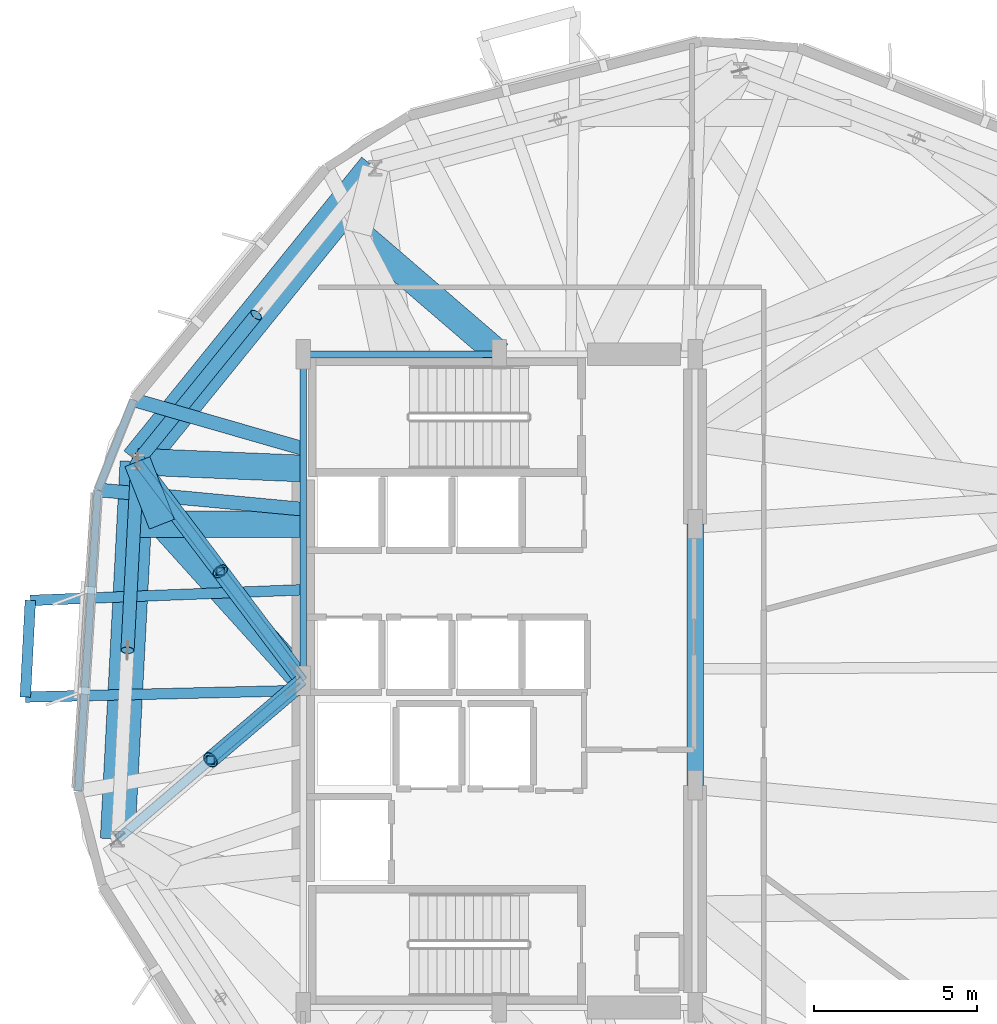
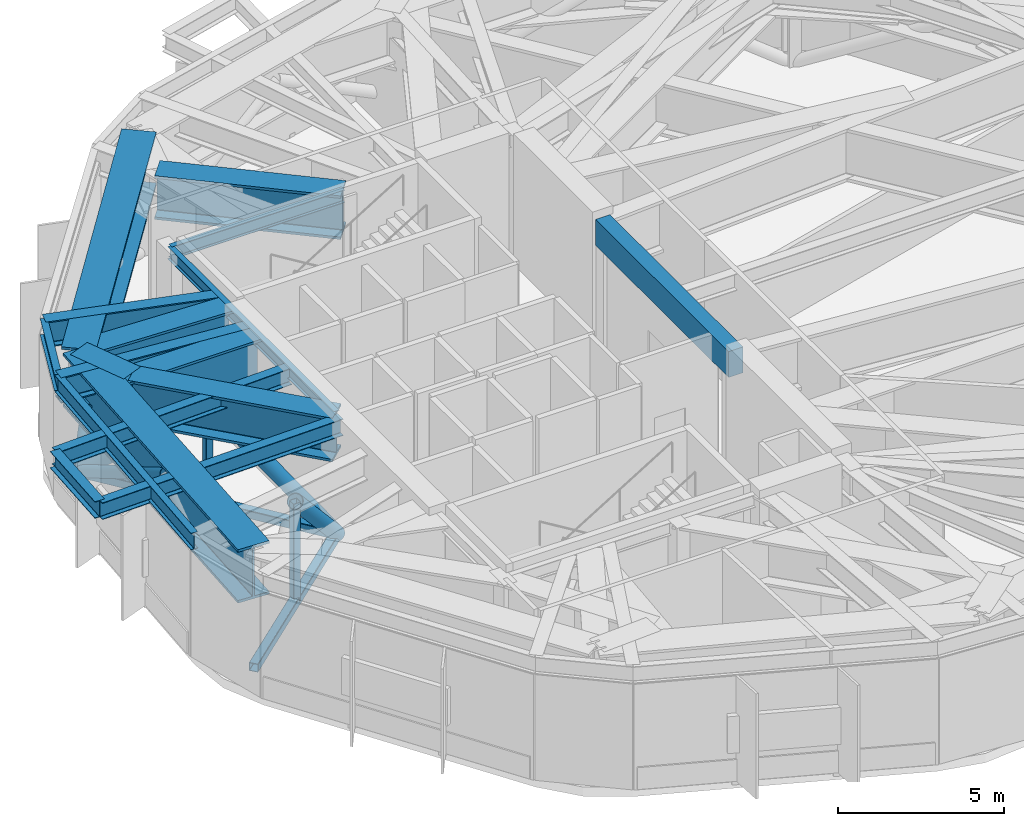
# One storey, part 3 of 13: 17 beams, 9 members.
"""IFC4 building model written with IfcOpenShell, lengths in metres."""

from ifc_helpers import new_model, si_unit, direction, frame, origin, origin_2d, place, context, subcontext, project, spatial, rectangle, hollow_rectangle, hollow_circle, i_section, extrude, material, material_profile, profile_set, type_object, element, save


model = new_model("IFC4")

# Units and contexts
model_context = context("Model", 3, precision=1e-05, world=origin(), true_north=direction((0.0, 1.0)))
body_context = subcontext(model_context, "Body", "Model", "MODEL_VIEW")
ifc_project = project(units=[si_unit("LENGTHUNIT", "METRE"), si_unit("AREAUNIT", "SQUARE_METRE"), si_unit("VOLUMEUNIT", "CUBIC_METRE"), si_unit("PLANEANGLEUNIT", "RADIAN"), si_unit("MASSUNIT", "GRAM", prefix="KILO")], contexts=[model_context])

# Site, building, storey
site_placement = place(None, origin())
site = spatial("IfcSite", under=ifc_project, at=site_placement, CompositionType="ELEMENT")
building_placement = place(site_placement, origin())
building = spatial("IfcBuilding", under=site, at=building_placement, Name="Soratama Intermodal Tower", CompositionType="ELEMENT")
storey_placement = place(building_placement, frame((0.0, 0.0, 82.60009765625)))
storey = spatial("IfcBuildingStorey", under=building, at=storey_placement, Name="L19", CompositionType="ELEMENT", Elevation=82.60009765625)

# Beams
ifc_material_1 = material(Name="Structural steel ASTM A992 Grade 50", Category="steel")
ifc_material_profile_1 = material_profile(ifc_material_1, i_section(OverallWidth=0.324951171875, OverallDepth=0.615966796875, WebThickness=0.013916015625, FlangeThickness=0.021484375, FilletRadius=0.013916015625, at=origin_2d()), Name="W24X117")
ifc_profile_set_1 = profile_set([ifc_material_profile_1], Name="Structural steel ASTM A992 Grade 50")
beam_type_1 = type_object("IfcBeamType", Name="BM-CANT-W24X117", PredefinedType="BEAM", material=ifc_profile_set_1)
beam_1_placement = place(storey_placement, frame((24.2470703125, 27.4619140625, 4.19189453125), z_axis=(-0.052320977967, -0.99863031962, 0.0), x_axis=(0.99863031962, -0.052320977967, 0.0)))
element("IfcBeam", 1, at=beam_1_placement, inside=storey, type_object=beam_type_1, Name="BM-L19-CBHDR-3", PredefinedType="BEAM", context=body_context, shape_type="SweptSolid", body=[
    extrude(i_section(OverallWidth=0.324951171875, OverallDepth=0.615966796875, WebThickness=0.013916015625, FlangeThickness=0.021484375, FilletRadius=0.013916015625, at=origin_2d()), origin(), (0.0, 0.0, 1.0), 2.963134765625),
])
beam_2_placement = place(storey_placement, frame((32.56005859375, 27.785888671875, 4.19189453125), z_axis=(-0.999241451684, -0.038942537632, 0.0), x_axis=(0.038942537632, -0.999241451684, 0.0)))
element("IfcBeam", 2, at=beam_2_placement, inside=storey, type_object=beam_type_1, Name="BM-L19-CANT-3-1", PredefinedType="BEAM", context=body_context, shape_type="SweptSolid", body=[
    extrude(i_section(OverallWidth=0.324951171875, OverallDepth=0.615966796875, WebThickness=0.013916015625, FlangeThickness=0.021484375, FilletRadius=0.013916015625, at=origin_2d()), origin(), (0.0, 0.0, 1.0), 8.3193359375),
])
beam_3_placement = place(storey_placement, frame((32.56005859375, 24.7041015625, 4.19189453125), z_axis=(-0.999717929773, -0.023749966099, 0.0), x_axis=(0.023749966099, -0.999717929773, 0.0)))
element("IfcBeam", 3, at=beam_3_placement, inside=storey, type_object=beam_type_1, Name="BM-L19-CANT-3-2", PredefinedType="BEAM", context=body_context, shape_type="SweptSolid", body=[
    extrude(i_section(OverallWidth=0.324951171875, OverallDepth=0.615966796875, WebThickness=0.013916015625, FlangeThickness=0.021484375, FilletRadius=0.013916015625, at=origin_2d()), origin(), (0.0, 0.0, 1.0), 8.470458984375),
])
ifc_material_2 = material(Name="Concrete f'c 56 MPa", Category="concrete")
ifc_material_profile_2 = material_profile(ifc_material_2, rectangle(XDim=0.5, YDim=0.949951171875, at=origin_2d()), Name="RC500X950")
ifc_profile_set_2 = profile_set([ifc_material_profile_2], Name="Concrete f'c 56 MPa")
beam_type_2 = type_object("IfcBeamType", Name="BM-CPL-RC500X950", PredefinedType="BEAM", material=ifc_profile_set_2)
beam_4_placement = place(storey_placement, frame((44.60009765625, 21.800048828125, 4.02490234375), z_axis=(0.0, 1.0, 0.0), x_axis=(-1.0, 0.0, 0.0)))
element("IfcBeam", 4, at=beam_4_placement, inside=storey, type_object=beam_type_2, Name="L19 Core Coupling Beam East", PredefinedType="BEAM", context=body_context, shape_type="SweptSolid", body=[
    extrude(rectangle(XDim=0.5, YDim=0.949951171875, at=origin_2d()), origin(), (0.0, 0.0, 1.0), 8.0),
])
ifc_material_3 = material(Name="Structural steel ASTM A992 Grade 50", Category="steel")
ifc_material_profile_3 = material_profile(ifc_material_3, i_section(OverallWidth=0.19091796875, OverallDepth=0.4599609375, WebThickness=0.010009765625, FlangeThickness=0.01611328125, FilletRadius=0.010986328125, at=origin_2d()), Name="W18X55")
ifc_profile_set_3 = profile_set([ifc_material_profile_3], Name="Structural steel ASTM A992 Grade 50")
beam_type_3 = type_object("IfcBeamType", Name="BM-FLR-W18X55", PredefinedType="BEAM", material=ifc_profile_set_3)
beam_5_placement = place(storey_placement, frame((38.60009765625, 35.0, 4.27001953125), z_axis=(-1.0, 0.0, 0.0), x_axis=(0.0, -1.0, 0.0)))
element("IfcBeam", 5, at=beam_5_placement, inside=storey, type_object=beam_type_3, Name="BM-L19-CRING-07", PredefinedType="BEAM", context=body_context, shape_type="SweptSolid", body=[
    extrude(i_section(OverallWidth=0.19091796875, OverallDepth=0.4599609375, WebThickness=0.010009765625, FlangeThickness=0.01611328125, FilletRadius=0.010986328125, at=origin_2d()), origin(), (0.0, 0.0, 1.0), 6.0),
])
beam_6_placement = place(storey_placement, frame((32.60009765625, 35.0, 4.27001953125), z_axis=(0.0, -1.0, 0.0), x_axis=(1.0, 0.0, 0.0)))
element("IfcBeam", 6, at=beam_6_placement, inside=storey, type_object=beam_type_3, Name="BM-L19-CRING-08", PredefinedType="BEAM", context=body_context, shape_type="SweptSolid", body=[
    extrude(i_section(OverallWidth=0.19091796875, OverallDepth=0.4599609375, WebThickness=0.010009765625, FlangeThickness=0.01611328125, FilletRadius=0.010986328125, at=origin_2d()), origin(), (0.0, 0.0, 1.0), 10.0),
])
ifc_material_4 = material(Name="Structural steel ASTM A992 Grade 50", Category="steel")
ifc_material_profile_4 = material_profile(ifc_material_4, i_section(OverallWidth=0.423095703125, OverallDepth=0.93896484375, WebThickness=0.02392578125, FlangeThickness=0.042724609375, FilletRadius=0.02392578125, at=origin_2d()), Name="W36X302")
ifc_profile_set_4 = profile_set([ifc_material_profile_4], Name="Structural steel ASTM A992 Grade 50")
beam_type_4 = type_object("IfcBeamType", Name="BM-POD-W36X302", PredefinedType="BEAM", material=ifc_profile_set_4)
beam_7_placement = place(storey_placement, frame((32.56201171875, 32.1201171875, 4.030517578125), z_axis=(-0.960972033066, 0.276645534331, 0.0), x_axis=(-0.276645534331, -0.960972033066, 0.0)))
element("IfcBeam", 7, at=beam_7_placement, inside=storey, type_object=beam_type_4, Name="BM-L19-TIE1-04", PredefinedType="BEAM", context=body_context, shape_type="SweptSolid", body=[
    extrude(i_section(OverallWidth=0.423095703125, OverallDepth=0.93896484375, WebThickness=0.02392578125, FlangeThickness=0.042724609375, FilletRadius=0.02392578125, at=origin_2d()), origin(), (0.0, 0.0, 1.0), 5.3603515625),
])
beam_8_placement = place(storey_placement, frame((32.56005859375, 30.259033203125, 4.030517578125), z_axis=(-0.995601168495, 0.093692653343, 0.0), x_axis=(-0.093692653343, -0.995601168495, 0.0)))
element("IfcBeam", 8, at=beam_8_placement, inside=storey, type_object=beam_type_4, Name="BM-L19-TIE0-05", PredefinedType="BEAM", context=body_context, shape_type="SweptSolid", body=[
    extrude(i_section(OverallWidth=0.423095703125, OverallDepth=0.93896484375, WebThickness=0.02392578125, FlangeThickness=0.042724609375, FilletRadius=0.02392578125, at=origin_2d()), origin(), (0.0, 0.0, 1.0), 6.274658203125),
])
ifc_material_5 = material(Name="Structural steel ASTM A992 Grade 50", Category="steel")
ifc_material_profile_5 = material_profile(ifc_material_5, i_section(OverallWidth=0.22900390625, OverallDepth=0.612060546875, WebThickness=0.011962890625, FlangeThickness=0.01953125, FilletRadius=0.012939453125, at=origin_2d()), Name="W24X84")
ifc_profile_set_5 = profile_set([ifc_material_profile_5], Name="Structural steel ASTM A992 Grade 50")
beam_type_5 = type_object("IfcBeamType", Name="BM-SPN-W24X84", PredefinedType="SPANDREL", material=ifc_profile_set_5)
beam_9_placement = place(storey_placement, frame((27.410888671875, 33.60302734375, 4.19384765625), z_axis=(-0.370070778615, -0.929003562327, 0.0), x_axis=(0.929003562327, -0.370070778615, 0.0)))
element("IfcBeam", 9, at=beam_9_placement, inside=storey, type_object=beam_type_5, Name="BS-L19-CRN04", PredefinedType="SPANDREL", context=body_context, shape_type="SweptSolid", body=[
    extrude(i_section(OverallWidth=0.22900390625, OverallDepth=0.612060546875, WebThickness=0.011962890625, FlangeThickness=0.01953125, FilletRadius=0.012939453125, at=origin_2d()), origin(), (0.0, 0.0, 1.0), 2.966796875),
])
beam_10_placement = place(storey_placement, frame((26.31298828125, 30.846923828125, 4.19384765625), z_axis=(-0.064915060722, -0.997890793069, 0.0), x_axis=(0.997890793069, -0.064915060722, 0.0)))
element("IfcBeam", 10, at=beam_10_placement, inside=storey, type_object=beam_type_5, Name="BS-L19-F05", PredefinedType="SPANDREL", context=body_context, shape_type="SweptSolid", body=[
    extrude(i_section(OverallWidth=0.22900390625, OverallDepth=0.612060546875, WebThickness=0.011962890625, FlangeThickness=0.01953125, FilletRadius=0.012939453125, at=origin_2d()), origin(), (0.0, 0.0, 1.0), 9.244384765625),
])
ifc_material_6 = material(Name="Structural steel ASTM A992 Grade 50", Category="steel")
ifc_material_profile_6 = material_profile(ifc_material_6, i_section(OverallWidth=0.820068359375, OverallDepth=1.699951171875, WebThickness=0.053955078125, FlangeThickness=0.087890625, FilletRadius=0.02392578125, at=origin_2d()), Name="PG1580X800")
ifc_profile_set_6 = profile_set([ifc_material_profile_6], Name="Structural steel ASTM A992 Grade 50")
beam_type_6 = type_object("IfcBeamType", Name="BM-ZSTEP-PG1580", PredefinedType="BEAM", material=ifc_profile_set_6)
beam_11_placement = place(storey_placement, frame((27.423095703125, 29.7958984375, 3.64990234375), z_axis=(1.0, 0.0, 0.0), x_axis=(0.0, 1.0, 0.0)))
element("IfcBeam", 11, at=beam_11_placement, inside=storey, type_object=beam_type_6, Name="BM-L19-ZCHORD-05", PredefinedType="BEAM", context=body_context, shape_type="SweptSolid", body=[
    extrude(i_section(OverallWidth=0.820068359375, OverallDepth=1.699951171875, WebThickness=0.053955078125, FlangeThickness=0.087890625, FilletRadius=0.02392578125, at=origin_2d()), origin(), (0.0, 0.0, 1.0), 5.177001953125),
])
beam_12_placement = place(storey_placement, frame((32.60009765625, 31.5, 3.64990234375), z_axis=(-0.999153929645, 0.041126936131, 0.0), x_axis=(-0.041126936131, -0.999153929645, 0.0)))
element("IfcBeam", 12, at=beam_12_placement, inside=storey, type_object=beam_type_6, Name="BM-L19-RAD-05", PredefinedType="BEAM", context=body_context, shape_type="SweptSolid", body=[
    extrude(i_section(OverallWidth=0.820068359375, OverallDepth=1.699951171875, WebThickness=0.053955078125, FlangeThickness=0.087890625, FilletRadius=0.02392578125, at=origin_2d()), origin(), (0.0, 0.0, 1.0), 5.08154296875),
])
ifc_material_7 = material(Name="Structural steel ASTM A992 Grade 50", Category="steel")
ifc_material_profile_7 = material_profile(ifc_material_7, i_section(OverallWidth=0.820068359375, OverallDepth=1.60205078125, WebThickness=0.055908203125, FlangeThickness=0.092041015625, FilletRadius=0.02392578125, at=origin_2d()), Name="PG1600X650")
ifc_profile_set_7 = profile_set([ifc_material_profile_7], Name="Structural steel ASTM A992 Grade 50")
beam_type_7 = type_object("IfcBeamType", Name="BM-ZSTEP-PG1600", PredefinedType="BEAM", material=ifc_profile_set_7)
beam_13_placement = place(storey_placement, frame((34.2880859375, 38.7109375, 3.698974609375), z_axis=(0.757958568281, -0.652302697196, 0.0), x_axis=(0.652302697196, 0.757958568281, 0.0)))
element("IfcBeam", 13, at=beam_13_placement, inside=storey, type_object=beam_type_7, Name="BM-L19-ZSTEP-B04", PredefinedType="BEAM", context=body_context, shape_type="SweptSolid", body=[
    extrude(i_section(OverallWidth=0.820068359375, OverallDepth=1.60205078125, WebThickness=0.055908203125, FlangeThickness=0.092041015625, FilletRadius=0.02392578125, at=origin_2d()), origin(), (0.0, 0.0, 1.0), 5.68896484375),
])
beam_14_placement = place(storey_placement, frame((27.52294921875, 31.708984375, 3.698974609375), z_axis=(0.365402437824, -0.9308496433, 0.0), x_axis=(0.9308496433, 0.365402437824, 0.0)))
element("IfcBeam", 14, at=beam_14_placement, inside=storey, type_object=beam_type_7, Name="BM-L19-ZSTEP-A05", PredefinedType="BEAM", context=body_context, shape_type="SweptSolid", body=[
    extrude(i_section(OverallWidth=0.820068359375, OverallDepth=1.60205078125, WebThickness=0.055908203125, FlangeThickness=0.092041015625, FilletRadius=0.02392578125, at=origin_2d()), origin(), (0.0, 0.0, 1.0), 2.05517578125),
])
beam_15_placement = place(storey_placement, frame((28.27392578125, 29.7958984375, 3.698974609375), z_axis=(0.669808003303, -0.742534335039, 0.0), x_axis=(0.742534335039, 0.669808003303, 0.0)))
element("IfcBeam", 15, at=beam_15_placement, inside=storey, type_object=beam_type_7, Name="BM-L19-ZSTEP-B05", PredefinedType="BEAM", context=body_context, shape_type="SweptSolid", body=[
    extrude(i_section(OverallWidth=0.820068359375, OverallDepth=1.60205078125, WebThickness=0.055908203125, FlangeThickness=0.092041015625, FilletRadius=0.02392578125, at=origin_2d()), origin(), (0.0, 0.0, 1.0), 6.458740234375),
])
ifc_material_8 = material(Name="Structural steel ASTM A992 Grade 50", Category="steel")
ifc_material_profile_8 = material_profile(ifc_material_8, i_section(OverallWidth=1.06005859375, OverallDepth=1.9599609375, WebThickness=0.05810546875, FlangeThickness=0.095947265625, FilletRadius=0.02392578125, at=origin_2d()), Name="PG2400X900")
ifc_profile_set_8 = profile_set([ifc_material_profile_8], Name="Structural steel ASTM A992 Grade 50")
beam_type_8 = type_object("IfcBeamType", Name="BM-ZSTEP-PG2400", PredefinedType="BEAM", material=ifc_profile_set_8)
beam_16_placement = place(storey_placement, frame((34.803955078125, 40.699951171875, 3.52001953125), z_axis=(-0.629334198857, -0.777134779912, 0.0), x_axis=(0.777134779912, -0.629334198857, 0.0)))
element("IfcBeam", 16, at=beam_16_placement, inside=storey, type_object=beam_type_8, Name="BM-L19-RING-04", PredefinedType="BEAM", context=body_context, shape_type="SweptSolid", body=[
    extrude(i_section(OverallWidth=1.06005859375, OverallDepth=1.9599609375, WebThickness=0.05810546875, FlangeThickness=0.095947265625, FilletRadius=0.02392578125, at=origin_2d()), origin(), (0.0, 0.0, 1.0), 11.5693359375),
])
beam_17_placement = place(storey_placement, frame((27.52294921875, 31.708984375, 3.52001953125), z_axis=(-0.052289698717, -0.998631957935, 0.0), x_axis=(0.998631957935, -0.052289698717, 0.0)))
element("IfcBeam", 17, at=beam_17_placement, inside=storey, type_object=beam_type_8, Name="BM-L19-RING-05", PredefinedType="BEAM", context=body_context, shape_type="SweptSolid", body=[
    extrude(i_section(OverallWidth=1.06005859375, OverallDepth=1.9599609375, WebThickness=0.05810546875, FlangeThickness=0.095947265625, FilletRadius=0.02392578125, at=origin_2d()), origin(), (0.0, 0.0, 1.0), 11.56982421875),
])

# Members
ifc_material_9 = material(Name="Structural steel ASTM A500 Grade C", Category="steel")
ifc_material_profile_9 = material_profile(ifc_material_9, hollow_circle(Radius=0.203125, WallThickness=0.01611328125, at=origin_2d()), Name="CHS406X16")
ifc_profile_set_9 = profile_set([ifc_material_profile_9], Name="Structural steel ASTM A500 Grade C")
member_type_1 = type_object("IfcMemberType", Name="MB-BLT-CHS406", PredefinedType="BRACE", material=ifc_profile_set_9)
member_1_placement = place(storey_placement, frame((27.5234375, 31.70849609375, 0.010009765625), z_axis=(0.538002433901, 0.664429938991, 0.518735228502), x_axis=(-0.777170171517, 0.62929049294, 0.0)))
element("IfcMember", 18, at=member_1_placement, inside=storey, type_object=member_type_1, Name="L19 Belt Truss Brace B 04", PredefinedType="BRACE", context=body_context, shape_type="SweptSolid", body=[
    extrude(hollow_circle(Radius=0.203125, WallThickness=0.01611328125, at=origin_2d()), origin(), (0.0, 0.0, 1.0), 6.766357421875),
])
member_2_placement = place(storey_placement, frame((27.5234375, 31.70849609375, 0.010009765625), z_axis=(-0.044742354914, -0.853749080343, 0.518758739195), x_axis=(0.998629579898, -0.052335094843, 0.0)))
element("IfcMember", 19, at=member_2_placement, inside=storey, type_object=member_type_1, Name="L19 Belt Truss Brace A 05", PredefinedType="BRACE", context=body_context, shape_type="SweptSolid", body=[
    extrude(hollow_circle(Radius=0.203125, WallThickness=0.01611328125, at=origin_2d()), origin(), (0.0, 0.0, 1.0), 6.76611328125),
])
ifc_material_10 = material(Name="Structural steel ASTM A500 Grade C", Category="steel")
ifc_material_profile_10 = material_profile(ifc_material_10, hollow_rectangle(XDim=0.3046875, YDim=0.3046875, WallThickness=0.01611328125, InnerFilletRadius=0.01611328125, OuterFilletRadius=0.031982421875, at=origin_2d()), Name="HSS305X305X16")
ifc_profile_set_10 = profile_set([ifc_material_profile_10], Name="Structural steel ASTM A500 Grade C")
member_type_2 = type_object("IfcMemberType", Name="MB-CHD-HSS305", PredefinedType="CHORD", material=ifc_profile_set_10)
member_3_placement = place(storey_placement, frame((32.60009765625, 25.0, 0.02001953125), z_axis=(-0.760920354317, -0.648845293107, 0.0), x_axis=(0.648845293107, -0.760920354317, 0.0)))
element("IfcMember", 20, at=member_3_placement, inside=storey, type_object=member_type_2, Name="L19 Outrigger Chord 06", PredefinedType="CHORD", context=body_context, shape_type="SweptSolid", body=[
    extrude(hollow_rectangle(XDim=0.3046875, YDim=0.3046875, WallThickness=0.01611328125, InnerFilletRadius=0.01611328125, OuterFilletRadius=0.031982421875, at=origin_2d()), origin(), (0.0, 0.0, 1.0), 7.467529296875),
])
member_4_placement = place(storey_placement, frame((32.60009765625, 25.0, 0.02001953125), z_axis=(-0.603439677884, 0.797408650038, 0.0), x_axis=(-0.797408650038, -0.603439677884, 0.0)))
element("IfcMember", 21, at=member_4_placement, inside=storey, type_object=member_type_2, Name="L19 Outrigger Chord 05", PredefinedType="CHORD", context=body_context, shape_type="SweptSolid", body=[
    extrude(hollow_rectangle(XDim=0.3046875, YDim=0.3046875, WallThickness=0.01611328125, InnerFilletRadius=0.01611328125, OuterFilletRadius=0.031982421875, at=origin_2d()), origin(), (0.0, 0.0, 1.0), 8.412841796875),
])
ifc_material_11 = material(Name="Structural steel ASTM A500 Grade C", Category="steel")
ifc_material_profile_11 = material_profile(ifc_material_11, hollow_circle(Radius=0.25390625, WallThickness=0.01904296875, at=origin_2d()), Name="CHS508X19")
ifc_profile_set_11 = profile_set([ifc_material_profile_11], Name="Structural steel ASTM A500 Grade C")
member_type_3 = type_object("IfcMemberType", Name="MB-OUT-CHS508", PredefinedType="BRACE", material=ifc_profile_set_11)
member_5_placement = place(storey_placement, frame((32.60009765625, 25.0, 0.010009765625), z_axis=(-0.544887417667, -0.464591669145, 0.69803458584), x_axis=(0.648813010784, -0.760947880631, 0.0)))
element("IfcMember", 22, at=member_5_placement, inside=storey, type_object=member_type_3, Name="L19 Outrigger Brace Inner 06", PredefinedType="BRACE", context=body_context, shape_type="SweptSolid", body=[
    extrude(hollow_circle(Radius=0.25390625, WallThickness=0.01904296875, at=origin_2d()), origin(), (0.0, 0.0, 1.0), 5.214599609375),
])
for number, where, z_axis, x_axis, name in (
    (23, (32.60009765625, 25.0, 0.010009765625), (-0.456317858944, 0.602996158895, 0.654346730691), (-0.797408650038, -0.603439677884, 0.0), "L19 Outrigger Brace Inner 05"),
    (24, (27.5234375, 31.70849609375, 0.010009765625), (0.456317858944, -0.602996158895, 0.654346730691), (0.797408650038, 0.603439677884, 0.0), "L19 Outrigger Brace Outer 05"),
):
    element("IfcMember", number, at=place(storey_placement, frame(where, z_axis=z_axis, x_axis=x_axis)), inside=storey, type_object=member_type_3, Name=name, PredefinedType="BRACE", context=body_context, shape_type="SweptSolid", body=[
        extrude(hollow_circle(Radius=0.25390625, WallThickness=0.01904296875, at=origin_2d()), origin(), (0.0, 0.0, 1.0), 5.562744140625),
    ])
ifc_material_12 = material(Name="Structural steel ASTM A500 Grade C", Category="steel")
ifc_material_profile_12 = material_profile(ifc_material_12, hollow_rectangle(XDim=0.25390625, YDim=0.25390625, WallThickness=0.0126953125, InnerFilletRadius=0.0126953125, OuterFilletRadius=0.025390625, at=origin_2d()), Name="HSS254X254X12.7")
ifc_profile_set_12 = profile_set([ifc_material_profile_12], Name="Structural steel ASTM A500 Grade C")
member_type_4 = type_object("IfcMemberType", Name="MB-PST-HSS254", PredefinedType="POST", material=ifc_profile_set_12)
for number, where, z_axis, x_axis, name in (
    (25, (29.7587890625, 22.577392578125, 0.010009765625), (0.0, 0.0, 1.0), (1.0, 0.0, 0.0), "L19 Outrigger Post 06"),
    (26, (30.061767578125, 28.354248046875, 0.010009765625), (0.0, 0.0, 1.0), (1.0, 0.0, 0.0), "L19 Outrigger Post 05"),
):
    element("IfcMember", number, at=place(storey_placement, frame(where, z_axis=z_axis, x_axis=x_axis)), inside=storey, type_object=member_type_4, Name=name, PredefinedType="POST", context=body_context, shape_type="SweptSolid", body=[
        extrude(hollow_rectangle(XDim=0.25390625, YDim=0.25390625, WallThickness=0.0126953125, InnerFilletRadius=0.0126953125, OuterFilletRadius=0.025390625, at=origin_2d()), origin(), (0.0, 0.0, 1.0), 3.639892578125),
    ])

save(model, "model.ifc")
